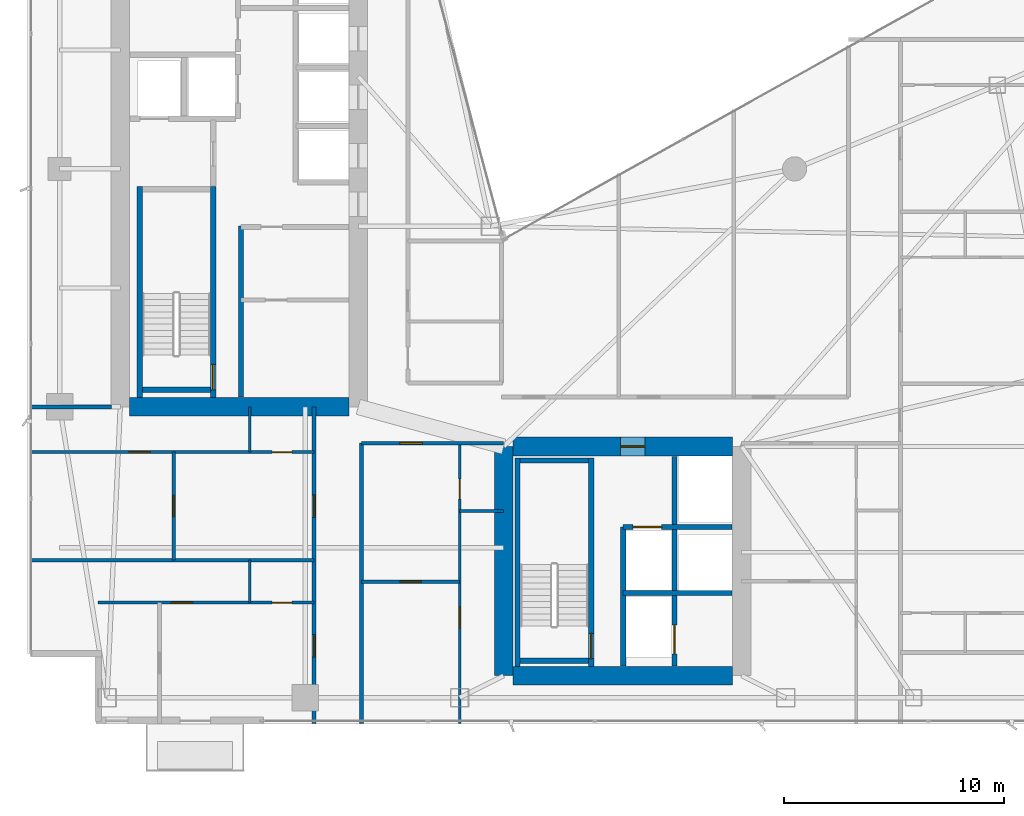
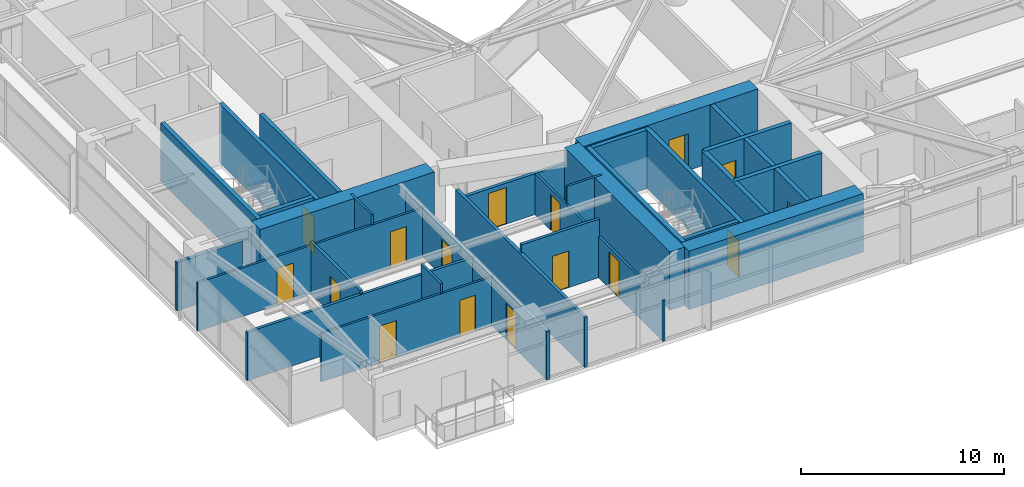
# One storey, part 22 of 28: 29 walls, 16 doors, 16 openings.
"""IFC4 building model written with IfcOpenShell, lengths in metres."""

import ifcopenshell
import ifcopenshell.guid

model = None  # the IFC model being written
_history = None  # IfcOwnerHistory: only IFC2X3 demands one
_inside = {}  # id of a spatial element -> (the spatial element, [elements in it])
_under = {}  # id of a project, library or spatial element -> (it, [spatial elements below it])
_declared = {}  # id of a project -> (the project, [libraries it declares])
_typed = {}  # id of a type object -> (the type object, [elements of that type])
_made_of = {}  # id of a material, layer set ... -> (it, [elements and type objects made of it])


def new_model(schema):
    """Start an empty IFC model of exactly this schema.

    Asked for "IFC4X3", IfcOpenShell would pick the latest addendum, in which some entities
    have other attributes; the version numbers below select the first issue.
    IFC2X3 requires an IfcOwnerHistory on every rooted entity: one is made here for all.
    """
    global model, _history
    if schema == "IFC4X3":
        model = ifcopenshell.file(schema_version=(4, 3, 0, 0))
    else:
        model = ifcopenshell.file(schema=schema)
    _inside.clear()
    _under.clear()
    _declared.clear()
    _typed.clear()
    _made_of.clear()
    _history = None
    if model.schema == "IFC2X3":
        org = make("IfcOrganization", Name="unknown")
        user = make(
            "IfcPersonAndOrganization",
            ThePerson=make("IfcPerson", FamilyName="unknown"),
            TheOrganization=org,
        )
        app = make(
            "IfcApplication",
            ApplicationDeveloper=org,
            Version="unknown",
            ApplicationFullName="unknown",
            ApplicationIdentifier="unknown",
        )
        _history = make(
            "IfcOwnerHistory",
            OwningUser=user,
            OwningApplication=app,
            ChangeAction="ADDED",
            CreationDate=0,
        )
    return model


def make(cls, **values):
    """One entity of the class cls with the attributes given. An attribute that is None is left unset."""
    return model.create_entity(
        cls, **{name: value for name, value in values.items() if value is not None}
    )


def rooted(cls, **values):
    """An entity with a GlobalId (a new one), such as an element, a storey or a relation."""
    return make(cls, GlobalId=ifcopenshell.guid.new(), OwnerHistory=_history, **values)


def si_unit(unit_type, name, prefix=None):
    """IfcSIUnit, for example si_unit("LENGTHUNIT", "METRE", prefix="MILLI")."""
    return make("IfcSIUnit", UnitType=unit_type, Prefix=prefix, Name=name)


def assignment(units):
    """IfcUnitAssignment: the units of a project."""
    return None if units is None else make("IfcUnitAssignment", Units=units)


def point(xyz):
    """IfcCartesianPoint."""
    return None if xyz is None else make("IfcCartesianPoint", Coordinates=xyz)


def direction(xyz):
    """IfcDirection."""
    return None if xyz is None else make("IfcDirection", DirectionRatios=xyz)


def frame(location, z_axis=None, x_axis=None):
    """IfcAxis2Placement3D, a coordinate frame: its origin and axes. An axis left out is left unset."""
    return make(
        "IfcAxis2Placement3D",
        Location=point(location),
        Axis=direction(z_axis),
        RefDirection=direction(x_axis),
    )


def frame_2d(location, x_axis=None):
    """IfcAxis2Placement2D, a coordinate frame in the plane: its origin and x axis."""
    return make(
        "IfcAxis2Placement2D", Location=point(location), RefDirection=direction(x_axis)
    )


def origin():
    """The frame at (0, 0, 0) with its axes left unset."""
    return frame((0.0, 0.0, 0.0))


def place(relative_to, where):
    """IfcLocalPlacement: puts the frame where relative to a parent placement (None: the world)."""
    return make(
        "IfcLocalPlacement", PlacementRelTo=relative_to, RelativePlacement=where
    )


def context(
    kind, dimensions, precision=None, world=None, true_north=None, identifier=None
):
    """IfcGeometricRepresentationContext, for example the 3D "Model" context."""
    return make(
        "IfcGeometricRepresentationContext",
        ContextIdentifier=identifier,
        ContextType=kind,
        CoordinateSpaceDimension=dimensions,
        Precision=precision,
        WorldCoordinateSystem=world,
        TrueNorth=true_north,
    )


def subcontext(parent, identifier, kind, view, scale=None):
    """IfcGeometricRepresentationSubContext, for example "Body" below "Model"."""
    return make(
        "IfcGeometricRepresentationSubContext",
        ContextIdentifier=identifier,
        ContextType=kind,
        ParentContext=parent,
        TargetScale=scale,
        TargetView=view,
    )


def project(units=None, contexts=None):
    """IfcProject with its units and contexts."""
    return rooted(
        "IfcProject",
        Name="project",
        RepresentationContexts=contexts,
        UnitsInContext=assignment(units),
    )


def spatial(cls, under=None, at=None, **own):
    """A site, building, storey or space (cls), placed at a placement, below another one or the project."""
    s = rooted(cls, ObjectPlacement=at, **own)
    if under is not None:
        _under.setdefault(under.id(), (under, []))[1].append(s)
    return s


def profile(cls, at=None, kind="AREA", **sizes):
    """A parametric profile (cls). Its sizes go by their IFC names, for example OverallWidth=200.0."""
    return make(cls, ProfileType=kind, Position=at, **sizes)


def rectangle(**sizes):
    """IfcRectangleProfileDef."""
    return profile("IfcRectangleProfileDef", **sizes)


def extrude(swept, where, along, depth):
    """IfcExtrudedAreaSolid: the profile swept, set in the frame where, extruded along a direction by depth."""
    return make(
        "IfcExtrudedAreaSolid",
        SweptArea=swept,
        Position=where,
        ExtrudedDirection=direction(along),
        Depth=depth,
    )


def shape(context_of_items, identifier, shape_type, items):
    """IfcShapeRepresentation: the items that make up one representation, for example the "Body"."""
    return make(
        "IfcShapeRepresentation",
        ContextOfItems=context_of_items,
        RepresentationIdentifier=identifier,
        RepresentationType=shape_type,
        Items=items,
    )


def material(Name=None, Category=None):
    """IfcMaterial."""
    return make("IfcMaterial", Name=Name, Category=Category)


def layer(
    of_material, thickness, ventilated=None, Name=None, Category=None, Priority=None
):
    """IfcMaterialLayer: one layer of a wall or slab, of a material (None: an air gap)."""
    return make(
        "IfcMaterialLayer",
        Material=of_material,
        LayerThickness=thickness,
        IsVentilated=ventilated,
        Name=Name,
        Category=Category,
        Priority=Priority,
    )


def layer_set(layers, Name=None):
    """IfcMaterialLayerSet."""
    return make("IfcMaterialLayerSet", MaterialLayers=layers, LayerSetName=Name)


def made_of(thing, what):
    """Note that an element or type object is made of a material, layer set ...; save() writes the relation."""
    if what is not None:
        _made_of.setdefault(what.id(), (what, []))[1].append(thing)
    return thing


def type_object(cls, material=None, **own):
    """A type object (cls), such as IfcWallType, which elements share."""
    return made_of(rooted(cls, **own), material)


def element(
    cls,
    number,
    at=None,
    inside=None,
    cuts=None,
    type_object=None,
    material=None,
    context=None,
    identifier="Body",
    shape_type=None,
    held_by="IfcProductDefinitionShape",
    body=None,
    shapes=None,
    **own,
):
    """One element of the class cls, such as IfcWall. Its Tag is "e" and its number.

    at: its placement. inside: the storey or other place that contains it. cuts: it is an
    opening in that element (IfcRelVoidsElement). A single representation is given by context,
    identifier, shape_type and body (its items); several are given by shapes. held_by: the class
    of the entity that holds the representations. save() writes the other relations.
    """
    e = rooted(cls, Tag="e%d" % number, ObjectPlacement=at, **own)
    if body is not None:
        shapes = [shape(context, identifier, shape_type, body)]
    if shapes is not None:
        e.Representation = make(held_by, Representations=shapes)
    if inside is not None:
        _inside.setdefault(inside.id(), (inside, []))[1].append(e)
    if cuts is not None:
        rooted(
            "IfcRelVoidsElement", RelatingBuildingElement=cuts, RelatedOpeningElement=e
        )
    if type_object is not None:
        _typed.setdefault(type_object.id(), (type_object, []))[1].append(e)
    return made_of(e, material)


def fill(opening, filler):
    """IfcRelFillsElement: the door or window that sits in an opening."""
    return rooted(
        "IfcRelFillsElement",
        RelatingOpeningElement=opening,
        RelatedBuildingElement=filler,
    )


def aggregate(whole, parts):
    """IfcRelAggregates: a whole, such as a stair, and the parts it consists of."""
    return rooted("IfcRelAggregates", RelatingObject=whole, RelatedObjects=parts)


def save(model, path):
    """Write the relations noted so far, then the file.

    IfcRelAggregates (storeys below a building ...), IfcRelContainedInSpatialStructure (elements
    in a storey), IfcRelDefinesByType, IfcRelAssociatesMaterial and IfcRelDeclares: one each for
    every whole, place, type object, material and project.
    """
    for whole, parts in _under.values():
        aggregate(whole, parts)
    for where, things in _inside.values():
        rooted(
            "IfcRelContainedInSpatialStructure",
            RelatedElements=things,
            RelatingStructure=where,
        )
    for kind, things in _typed.values():
        rooted("IfcRelDefinesByType", RelatedObjects=things, RelatingType=kind)
    for what, things in _made_of.values():
        rooted("IfcRelAssociatesMaterial", RelatedObjects=things, RelatingMaterial=what)
    for by, libraries in _declared.values():
        rooted("IfcRelDeclares", RelatingContext=by, RelatedDefinitions=libraries)
    model.write(path)


model = new_model("IFC4")

# Units and contexts
model_context = context("Model", 3, precision=1e-05, world=origin(), true_north=direction((0.0, 1.0)))
body_context = subcontext(model_context, "Body", "Model", "MODEL_VIEW")
ifc_project = project(units=[si_unit("LENGTHUNIT", "METRE"), si_unit("AREAUNIT", "SQUARE_METRE"), si_unit("VOLUMEUNIT", "CUBIC_METRE"), si_unit("PLANEANGLEUNIT", "RADIAN"), si_unit("MASSUNIT", "GRAM", prefix="KILO")], contexts=[model_context])

# Site, building, storey
site_placement = place(None, origin())
site = spatial("IfcSite", under=ifc_project, at=site_placement, CompositionType="ELEMENT")
building_placement = place(site_placement, origin())
building = spatial("IfcBuilding", under=site, at=building_placement, Name="Calvorn Quay Hotel", CompositionType="ELEMENT")
storey_placement = place(building_placement, frame((0.0, 0.0, 182.699951171875)))
storey = spatial("IfcBuildingStorey", under=building, at=storey_placement, Name="L45", CompositionType="ELEMENT", Elevation=182.699951171875)

# Walls
ifc_material_1 = material(Name="Concrete C50", Category="concrete")
ifc_layer_1 = layer(ifc_material_1, 0.85009765625)
ifc_layer_set_1 = layer_set([ifc_layer_1], Name="WL-CORE-850")
wall_type_1 = type_object("IfcWallType", Name="WL-CORE-850", PredefinedType="SHEAR", material=ifc_layer_set_1)
wall_1_placement = place(storey_placement, frame((4.625, 16.800048828125, 0.0), z_axis=(0.0, 0.0, 1.0), x_axis=(1.0, 0.0, 0.0)))
element("IfcWall", 1, at=wall_1_placement, inside=storey, type_object=wall_type_1, Name="West Core Shear Wall S (L45)", PredefinedType="SHEAR", context=body_context, shape_type="SweptSolid", body=[
    extrude(rectangle(XDim=9.949951171875, YDim=0.85009765625, at=frame_2d((4.97509765625, 0.0))), origin(), (0.0, 0.0, 1.0), 3.52001953125),
])
wall_2_placement = place(storey_placement, frame((21.60009765625, 4.60009765625, 0.0), z_axis=(0.0, 0.0, 1.0), x_axis=(0.0, 1.0, 0.0)))
element("IfcWall", 2, at=wall_2_placement, inside=storey, type_object=wall_type_1, Name="East Core Shear Wall W (L45)", PredefinedType="SHEAR", context=body_context, shape_type="SweptSolid", body=[
    extrude(rectangle(XDim=10.39990234375, YDim=0.85009765625, at=frame_2d((5.199951171875, 0.0))), origin(), (0.0, 0.0, 1.0), 3.52001953125),
])

# Wall, opening, door
wall_3_placement = place(storey_placement, frame((22.02490234375, 15.0, 0.0), z_axis=(0.0, 0.0, 1.0), x_axis=(1.0, 0.0, 0.0)))
wall_3 = element("IfcWall", 3, at=wall_3_placement, inside=storey, type_object=wall_type_1, Name="East Core Shear Wall N (L45)", PredefinedType="SHEAR", context=body_context, shape_type="SweptSolid", body=[
    extrude(rectangle(XDim=9.9501953125, YDim=0.85009765625, at=frame_2d((4.97509765625, 0.0))), origin(), (0.0, 0.0, 1.0), 3.52001953125),
])
opening_1_placement = place(wall_3_placement, frame((4.8798828125, 0.0, 0.0)))
opening_1 = element("IfcOpeningElement", 4, at=opening_1_placement, cuts=wall_3, Name="Opening D-L45-FLE", PredefinedType="OPENING", context=body_context, shape_type="SweptSolid", body=[
    extrude(rectangle(XDim=1.10009765625, YDim=2.199951171875, at=frame_2d((0.550048828125, 1.10009765625))), frame((0.0, 0.43505859375, 0.0), z_axis=(0.0, -1.0, 0.0), x_axis=(1.0, 0.0, 0.0)), (0.0, 0.0, 1.0), 0.8701171875),
])
ifc_material_2 = material(Name="Smoke-Sealed Steel Class A Fire Door", Category="steel")
door_type_1 = type_object("IfcDoorType", Name="DR-FFLOBBY-1100", OperationType="NOTDEFINED", PredefinedType="DOOR", material=ifc_material_2)
door_1_placement = place(opening_1_placement, origin())
door_1 = element("IfcDoor", 5, at=door_1_placement, inside=storey, type_object=door_type_1, Name="East Firefighting Lobby Fire Door (L45)", OperationType="SINGLE_SWING_LEFT", OverallHeight=2.199951171875, OverallWidth=1.10009765625, PredefinedType="DOOR", context=body_context, shape_type="SweptSolid", body=[
    extrude(rectangle(XDim=1.10009765625, YDim=2.199951171875, at=frame_2d((0.550048828125, 1.10009765625))), frame((0.0, 0.02490234375, 0.0), z_axis=(0.0, -1.0, 0.0), x_axis=(1.0, 0.0, 0.0)), (0.0, 0.0, 1.0), 0.050048828125),
])
fill(opening_1, door_1)

# Walls
wall_4_placement = place(storey_placement, frame((22.02490234375, 4.60009765625, 0.0), z_axis=(0.0, 0.0, 1.0), x_axis=(1.0, 0.0, 0.0)))
element("IfcWall", 6, at=wall_4_placement, inside=storey, type_object=wall_type_1, Name="East Core Shear Wall S (L45)", PredefinedType="SHEAR", context=body_context, shape_type="SweptSolid", body=[
    extrude(rectangle(XDim=9.9501953125, YDim=0.85009765625, at=frame_2d((4.97509765625, 0.0))), origin(), (0.0, 0.0, 1.0), 3.52001953125),
])
ifc_material_3 = material(Name="Acoustic Fireboard Steel-Stud Partition", Category="steel")
ifc_layer_2 = layer(ifc_material_3, 0.179931640625)
ifc_layer_set_2 = layer_set([ifc_layer_2], Name="WL-CORR-FIRE-180")
wall_type_2 = type_object("IfcWallType", Name="WL-CORR-FIRE-180", PredefinedType="PARTITIONING", material=ifc_layer_set_2)
wall_5_placement = place(storey_placement, frame((0.080078125, 16.800048828125, 0.0), z_axis=(0.0, 0.0, 1.0), x_axis=(1.0, 0.0, 0.0)))
element("IfcWall", 7, at=wall_5_placement, inside=storey, type_object=wall_type_2, Name="Partition Wall L45-WL-WBAY-S-WALL", PredefinedType="PARTITIONING", context=body_context, shape_type="SweptSolid", body=[
    extrude(rectangle(XDim=3.724853515625, YDim=0.179931640625, at=frame_2d((1.8623046875, 0.0))), origin(), (0.0, 0.0, 1.0), 2.920166015625),
])

# Wall, openings, doors
wall_6_placement = place(storey_placement, frame((13.0, 2.43994140625, 0.0), z_axis=(0.0, 0.0, 1.0), x_axis=(0.0, 1.0, 0.0)))
wall_6 = element("IfcWall", 8, at=wall_6_placement, inside=storey, type_object=wall_type_2, Name="Partition Wall L45-WL-CORR-SW-LEG-W", PredefinedType="PARTITIONING", context=body_context, shape_type="SweptSolid", body=[
    extrude(rectangle(XDim=14.360107421875, YDim=0.179931640625, at=frame_2d((7.18017578125, 0.0))), origin(), (0.0, 0.0, 1.0), 2.920166015625),
])
opening_2_placement = place(wall_6_placement, frame((3.010009765625, 0.0, 0.0)))
opening_2 = element("IfcOpeningElement", 9, at=opening_2_placement, cuts=wall_6, Name="Opening D-L45-U01", PredefinedType="OPENING", context=body_context, shape_type="SweptSolid", body=[
    extrude(rectangle(XDim=1.02001953125, YDim=2.199951171875, at=frame_2d((0.510009765625, 1.10009765625))), frame((0.0, 0.099853515625, 0.0), z_axis=(0.0, -1.0, 0.0), x_axis=(1.0, 0.0, 0.0)), (0.0, 0.0, 1.0), 0.199951171875),
])
opening_3_placement = place(wall_6_placement, frame((9.35009765625, 0.0, 0.0)))
opening_3 = element("IfcOpeningElement", 10, at=opening_3_placement, cuts=wall_6, Name="Opening D-L45-U02", PredefinedType="OPENING", context=body_context, shape_type="SweptSolid", body=[
    extrude(rectangle(XDim=1.02001953125, YDim=2.199951171875, at=frame_2d((0.510009765625, 1.10009765625))), frame((0.0, 0.099853515625, 0.0), z_axis=(0.0, -1.0, 0.0), x_axis=(1.0, 0.0, 0.0)), (0.0, 0.0, 1.0), 0.199951171875),
])
ifc_material_4 = material(Name="Solid-Core Walnut Veneer Hotel Fire Door")
door_type_2 = type_object("IfcDoorType", Name="DR-GUEST-ENTRY-1020", OperationType="NOTDEFINED", PredefinedType="DOOR", material=ifc_material_4)
door_2_placement = place(opening_2_placement, origin())
door_2 = element("IfcDoor", 11, at=door_2_placement, inside=storey, type_object=door_type_2, Name="South-West Unit Door U01 (L45)", OperationType="SINGLE_SWING_LEFT", OverallHeight=2.199951171875, OverallWidth=1.02001953125, PredefinedType="DOOR", context=body_context, shape_type="SweptSolid", body=[
    extrude(rectangle(XDim=1.02001953125, YDim=2.199951171875, at=frame_2d((0.510009765625, 1.10009765625))), frame((0.0, 0.02490234375, 0.0), z_axis=(0.0, -1.0, 0.0), x_axis=(1.0, 0.0, 0.0)), (0.0, 0.0, 1.0), 0.050048828125),
])
fill(opening_2, door_2)
door_3_placement = place(opening_3_placement, origin())
door_3 = element("IfcDoor", 12, at=door_3_placement, inside=storey, type_object=door_type_2, Name="South-West Unit Door U02 (L45)", OperationType="SINGLE_SWING_RIGHT", OverallHeight=2.199951171875, OverallWidth=1.02001953125, PredefinedType="DOOR", context=body_context, shape_type="SweptSolid", body=[
    extrude(rectangle(XDim=1.02001953125, YDim=2.199951171875, at=frame_2d((0.510009765625, 1.10009765625))), frame((0.0, 0.02490234375, 0.0), z_axis=(0.0, -1.0, 0.0), x_axis=(1.0, 0.0, 0.0)), (0.0, 0.0, 1.0), 0.050048828125),
])
fill(opening_3, door_3)

# Wall
wall_7_placement = place(storey_placement, frame((15.14990234375, 2.43994140625, 0.0), z_axis=(0.0, 0.0, 1.0), x_axis=(0.0, 1.0, 0.0)))
element("IfcWall", 13, at=wall_7_placement, inside=storey, type_object=wall_type_2, Name="Partition Wall L45-WL-CORR-SW-W", PredefinedType="PARTITIONING", context=body_context, shape_type="SweptSolid", body=[
    extrude(rectangle(XDim=12.7099609375, YDim=0.179931640625, at=frame_2d((6.35498046875, 0.0))), origin(), (0.0, 0.0, 1.0), 3.02001953125),
])

# Wall, opening, door
wall_8_placement = place(storey_placement, frame((15.14990234375, 15.14990234375, 0.0), z_axis=(0.0, 0.0, 1.0), x_axis=(1.0, 0.0, 0.0)))
wall_8 = element("IfcWall", 14, at=wall_8_placement, inside=storey, type_object=wall_type_2, Name="Partition Wall L45-WL-SC-CORR-S", PredefinedType="PARTITIONING", context=body_context, shape_type="SweptSolid", body=[
    extrude(rectangle(XDim=6.4501953125, YDim=0.179931640625, at=frame_2d((3.22509765625, 0.0))), origin(), (0.0, 0.0, 1.0), 2.469970703125),
])
opening_4_placement = place(wall_8_placement, frame((1.739990234375, 0.0, 0.0)))
opening_4 = element("IfcOpeningElement", 15, at=opening_4_placement, cuts=wall_8, Name="Opening D-L45-U03", PredefinedType="OPENING", context=body_context, shape_type="SweptSolid", body=[
    extrude(rectangle(XDim=1.02001953125, YDim=2.199951171875, at=frame_2d((0.510009765625, 1.10009765625))), frame((0.0, 0.099853515625, 0.0), z_axis=(0.0, -1.0, 0.0), x_axis=(1.0, 0.0, 0.0)), (0.0, 0.0, 1.0), 0.199951171875),
])
door_4_placement = place(opening_4_placement, origin())
door_4 = element("IfcDoor", 16, at=door_4_placement, inside=storey, type_object=door_type_2, Name="Harbour Central Unit Door (L45)", OperationType="SINGLE_SWING_LEFT", OverallHeight=2.199951171875, OverallWidth=1.02001953125, PredefinedType="DOOR", context=body_context, shape_type="SweptSolid", body=[
    extrude(rectangle(XDim=1.02001953125, YDim=2.199951171875, at=frame_2d((0.510009765625, 1.10009765625))), frame((0.0, 0.02490234375, 0.0), z_axis=(0.0, -1.0, 0.0), x_axis=(1.0, 0.0, 0.0)), (0.0, 0.0, 1.0), 0.050048828125),
])
fill(opening_4, door_4)

# Wall
ifc_material_5 = material(Name="Moisture-Resistant Tile-Backed Partition")
ifc_layer_3 = layer(ifc_material_5, 0.125)
ifc_layer_set_3 = layer_set([ifc_layer_3], Name="WL-ENSUITE-125")
wall_type_3 = type_object("IfcWallType", Name="WL-ENSUITE-125", PredefinedType="PARTITIONING", material=ifc_layer_set_3)
wall_9_placement = place(storey_placement, frame((10.080078125, 7.919921875, 0.0), z_axis=(0.0, 0.0, 1.0), x_axis=(0.0, 1.0, 0.0)))
element("IfcWall", 17, at=wall_9_placement, inside=storey, type_object=wall_type_3, Name="Partition Wall L45-WL-U01-BDV", PredefinedType="PARTITIONING", context=body_context, shape_type="SweptSolid", body=[
    extrude(rectangle(XDim=1.93017578125, YDim=0.125, at=frame_2d((0.965087890625, 0.0))), origin(), (0.0, 0.0, 1.0), 3.52001953125),
])

# Wall, openings, doors
wall_10_placement = place(storey_placement, frame((3.199951171875, 7.919921875, 0.0), z_axis=(0.0, 0.0, 1.0), x_axis=(1.0, 0.0, 0.0)))
wall_10 = element("IfcWall", 18, at=wall_10_placement, inside=storey, type_object=wall_type_3, Name="Partition Wall L45-WL-U01-BH", PredefinedType="PARTITIONING", context=body_context, shape_type="SweptSolid", body=[
    extrude(rectangle(XDim=9.800048828125, YDim=0.125, at=frame_2d((4.89990234375, 0.0))), origin(), (0.0, 0.0, 1.0), 2.920166015625),
])
opening_5_placement = place(wall_10_placement, frame((3.320068359375, 0.0, 0.0)))
opening_5 = element("IfcOpeningElement", 19, at=opening_5_placement, cuts=wall_10, Name="Opening D-L45-S01", PredefinedType="OPENING", context=body_context, shape_type="SweptSolid", body=[
    extrude(rectangle(XDim=0.9599609375, YDim=2.199951171875, at=frame_2d((0.47998046875, 1.10009765625))), frame((0.0, 0.072509765625, 0.0), z_axis=(0.0, -1.0, 0.0), x_axis=(1.0, 0.0, 0.0)), (0.0, 0.0, 1.0), 0.14501953125),
])
opening_6_placement = place(wall_10_placement, frame((7.889892578125, 0.0, 0.0)))
opening_6 = element("IfcOpeningElement", 20, at=opening_6_placement, cuts=wall_10, Name="Opening D-L45-E01", PredefinedType="OPENING", context=body_context, shape_type="SweptSolid", body=[
    extrude(rectangle(XDim=0.89990234375, YDim=2.14990234375, at=frame_2d((0.449951171875, 1.074951171875))), frame((0.0, 0.072509765625, 0.0), z_axis=(0.0, -1.0, 0.0), x_axis=(1.0, 0.0, 0.0)), (0.0, 0.0, 1.0), 0.14501953125),
])
ifc_material_6 = material(Name="Moisture-Sealed Timber En-Suite Door", Category="wood")
door_type_3 = type_object("IfcDoorType", Name="DR-ENSUITE-900", OperationType="NOTDEFINED", PredefinedType="DOOR", material=ifc_material_6)
door_5_placement = place(opening_6_placement, origin())
door_5 = element("IfcDoor", 21, at=door_5_placement, inside=storey, type_object=door_type_3, Name="En-Suite Door 01", OperationType="SINGLE_SWING_RIGHT", OverallHeight=2.14990234375, OverallWidth=0.89990234375, PredefinedType="DOOR", context=body_context, shape_type="SweptSolid", body=[
    extrude(rectangle(XDim=0.89990234375, YDim=2.14990234375, at=frame_2d((0.449951171875, 1.074951171875))), frame((0.0, 0.02490234375, 0.0), z_axis=(0.0, -1.0, 0.0), x_axis=(1.0, 0.0, 0.0)), (0.0, 0.0, 1.0), 0.050048828125),
])
fill(opening_6, door_5)
ifc_material_7 = material(Name="Solid Timber Internal Suite Door", Category="wood")
door_type_4 = type_object("IfcDoorType", Name="DR-SUITE-INT-960", OperationType="NOTDEFINED", PredefinedType="DOOR", material=ifc_material_7)
door_6_placement = place(opening_5_placement, origin())
door_6 = element("IfcDoor", 22, at=door_6_placement, inside=storey, type_object=door_type_4, Name="Children Play Nursery Door 01", OperationType="SINGLE_SWING_LEFT", OverallHeight=2.199951171875, OverallWidth=0.9599609375, PredefinedType="DOOR", context=body_context, shape_type="SweptSolid", body=[
    extrude(rectangle(XDim=0.9599609375, YDim=2.199951171875, at=frame_2d((0.47998046875, 1.10009765625))), frame((0.0, 0.02490234375, 0.0), z_axis=(0.0, -1.0, 0.0), x_axis=(1.0, 0.0, 0.0)), (0.0, 0.0, 1.0), 0.050048828125),
])
fill(opening_5, door_6)

# Wall
wall_11_placement = place(storey_placement, frame((10.080078125, 14.75, 0.0), z_axis=(0.0, 0.0, 1.0), x_axis=(0.0, 1.0, 0.0)))
element("IfcWall", 23, at=wall_11_placement, inside=storey, type_object=wall_type_3, Name="Partition Wall L45-WL-U02-BDV", PredefinedType="PARTITIONING", context=body_context, shape_type="SweptSolid", body=[
    extrude(rectangle(XDim=2.050048828125, YDim=0.125, at=frame_2d((1.02490234375, 0.0))), origin(), (0.0, 0.0, 1.0), 3.52001953125),
])

# Wall, openings, doors
wall_12_placement = place(storey_placement, frame((0.080078125, 14.75, 0.0), z_axis=(0.0, 0.0, 1.0), x_axis=(1.0, 0.0, 0.0)))
wall_12 = element("IfcWall", 24, at=wall_12_placement, inside=storey, type_object=wall_type_3, Name="Partition Wall L45-WL-U02-BH", PredefinedType="PARTITIONING", context=body_context, shape_type="SweptSolid", body=[
    extrude(rectangle(XDim=12.919921875, YDim=0.125, at=frame_2d((6.4599609375, 0.0))), origin(), (0.0, 0.0, 1.0), 2.920166015625),
])
opening_7_placement = place(wall_12_placement, frame((4.52001953125, 0.0, 0.0)))
opening_7 = element("IfcOpeningElement", 25, at=opening_7_placement, cuts=wall_12, Name="Opening D-L45-S02", PredefinedType="OPENING", context=body_context, shape_type="SweptSolid", body=[
    extrude(rectangle(XDim=0.9599609375, YDim=2.199951171875, at=frame_2d((0.47998046875, 1.10009765625))), frame((0.0, 0.072509765625, 0.0), z_axis=(0.0, -1.0, 0.0), x_axis=(1.0, 0.0, 0.0)), (0.0, 0.0, 1.0), 0.14501953125),
])
opening_8_placement = place(wall_12_placement, frame((11.010009765625, 0.0, 0.0)))
opening_8 = element("IfcOpeningElement", 26, at=opening_8_placement, cuts=wall_12, Name="Opening D-L45-E02", PredefinedType="OPENING", context=body_context, shape_type="SweptSolid", body=[
    extrude(rectangle(XDim=0.89990234375, YDim=2.14990234375, at=frame_2d((0.449951171875, 1.074951171875))), frame((0.0, 0.072509765625, 0.0), z_axis=(0.0, -1.0, 0.0), x_axis=(1.0, 0.0, 0.0)), (0.0, 0.0, 1.0), 0.14501953125),
])
door_7_placement = place(opening_8_placement, origin())
door_7 = element("IfcDoor", 27, at=door_7_placement, inside=storey, type_object=door_type_3, Name="En-Suite Door 02", OperationType="SINGLE_SWING_RIGHT", OverallHeight=2.14990234375, OverallWidth=0.89990234375, PredefinedType="DOOR", context=body_context, shape_type="SweptSolid", body=[
    extrude(rectangle(XDim=0.89990234375, YDim=2.14990234375, at=frame_2d((0.449951171875, 1.074951171875))), frame((0.0, 0.02490234375, 0.0), z_axis=(0.0, -1.0, 0.0), x_axis=(1.0, 0.0, 0.0)), (0.0, 0.0, 1.0), 0.050048828125),
])
fill(opening_8, door_7)
door_8_placement = place(opening_7_placement, origin())
door_8 = element("IfcDoor", 28, at=door_8_placement, inside=storey, type_object=door_type_4, Name="Children Play Nursery Door 02", OperationType="SINGLE_SWING_LEFT", OverallHeight=2.199951171875, OverallWidth=0.9599609375, PredefinedType="DOOR", context=body_context, shape_type="SweptSolid", body=[
    extrude(rectangle(XDim=0.9599609375, YDim=2.199951171875, at=frame_2d((0.47998046875, 1.10009765625))), frame((0.0, 0.02490234375, 0.0), z_axis=(0.0, -1.0, 0.0), x_axis=(1.0, 0.0, 0.0)), (0.0, 0.0, 1.0), 0.050048828125),
])
fill(opening_7, door_8)

# Wall
wall_13_placement = place(storey_placement, frame((19.60009765625, 12.070068359375, 0.0), z_axis=(0.0, 0.0, 1.0), x_axis=(1.0, 0.0, 0.0)))
element("IfcWall", 29, at=wall_13_placement, inside=storey, type_object=wall_type_3, Name="Partition Wall L45-WL-U03-BDV", PredefinedType="PARTITIONING", context=body_context, shape_type="SweptSolid", body=[
    extrude(rectangle(XDim=2.0, YDim=0.125, at=frame_2d((1.0, 0.0))), origin(), (0.0, 0.0, 1.0), 3.52001953125),
])

# Wall, openings, doors
wall_14_placement = place(storey_placement, frame((19.60009765625, 2.43994140625, 0.0), z_axis=(0.0, 0.0, 1.0), x_axis=(0.0, 1.0, 0.0)))
wall_14 = element("IfcWall", 30, at=wall_14_placement, inside=storey, type_object=wall_type_3, Name="Partition Wall L45-WL-U03-BV", PredefinedType="PARTITIONING", context=body_context, shape_type="SweptSolid", body=[
    extrude(rectangle(XDim=12.7099609375, YDim=0.125, at=frame_2d((6.35498046875, 0.0))), origin(), (0.0, 0.0, 1.0), 2.469970703125),
])
opening_9_placement = place(wall_14_placement, frame((4.340087890625, 0.0, 0.0)))
opening_9 = element("IfcOpeningElement", 31, at=opening_9_placement, cuts=wall_14, Name="Opening D-L45-S03", PredefinedType="OPENING", context=body_context, shape_type="SweptSolid", body=[
    extrude(rectangle(XDim=0.9599609375, YDim=2.199951171875, at=frame_2d((0.47998046875, 1.10009765625))), frame((0.0, 0.072509765625, 0.0), z_axis=(0.0, -1.0, 0.0), x_axis=(1.0, 0.0, 0.0)), (0.0, 0.0, 1.0), 0.14501953125),
])
opening_10_placement = place(wall_14_placement, frame((10.179931640625, 0.0, 0.0)))
opening_10 = element("IfcOpeningElement", 32, at=opening_10_placement, cuts=wall_14, Name="Opening D-L45-E03", PredefinedType="OPENING", context=body_context, shape_type="SweptSolid", body=[
    extrude(rectangle(XDim=0.89990234375, YDim=2.14990234375, at=frame_2d((0.449951171875, 1.074951171875))), frame((0.0, 0.072509765625, 0.0), z_axis=(0.0, -1.0, 0.0), x_axis=(1.0, 0.0, 0.0)), (0.0, 0.0, 1.0), 0.14501953125),
])
door_9_placement = place(opening_10_placement, origin())
door_9 = element("IfcDoor", 33, at=door_9_placement, inside=storey, type_object=door_type_3, Name="En-Suite Door 03", OperationType="SINGLE_SWING_RIGHT", OverallHeight=2.14990234375, OverallWidth=0.89990234375, PredefinedType="DOOR", context=body_context, shape_type="SweptSolid", body=[
    extrude(rectangle(XDim=0.89990234375, YDim=2.14990234375, at=frame_2d((0.449951171875, 1.074951171875))), frame((0.0, 0.02490234375, 0.0), z_axis=(0.0, -1.0, 0.0), x_axis=(1.0, 0.0, 0.0)), (0.0, 0.0, 1.0), 0.050048828125),
])
fill(opening_10, door_9)
door_10_placement = place(opening_9_placement, origin())
door_10 = element("IfcDoor", 34, at=door_10_placement, inside=storey, type_object=door_type_4, Name="Children Play Nursery Door 03", OperationType="SINGLE_SWING_LEFT", OverallHeight=2.199951171875, OverallWidth=0.9599609375, PredefinedType="DOOR", context=body_context, shape_type="SweptSolid", body=[
    extrude(rectangle(XDim=0.9599609375, YDim=2.199951171875, at=frame_2d((0.47998046875, 1.10009765625))), frame((0.0, 0.02490234375, 0.0), z_axis=(0.0, -1.0, 0.0), x_axis=(1.0, 0.0, 0.0)), (0.0, 0.0, 1.0), 0.050048828125),
])
fill(opening_9, door_10)

# Wall, opening, door
ifc_material_8 = material(Name="Double-Stud Acoustic Gypsum Partition")
ifc_layer_4 = layer(ifc_material_8, 0.159912109375)
ifc_layer_set_4 = layer_set([ifc_layer_4], Name="WL-INTERSUITE-160")
wall_type_4 = type_object("IfcWallType", Name="WL-INTERSUITE-160", PredefinedType="PARTITIONING", material=ifc_layer_set_4)
wall_15_placement = place(storey_placement, frame((6.6201171875, 9.85009765625, 0.0), z_axis=(0.0, 0.0, 1.0), x_axis=(0.0, 1.0, 0.0)))
wall_15 = element("IfcWall", 35, at=wall_15_placement, inside=storey, type_object=wall_type_4, Name="Partition Wall L45-WL-U02-MSP", PredefinedType="PARTITIONING", context=body_context, shape_type="SweptSolid", body=[
    extrude(rectangle(XDim=4.89990234375, YDim=0.159912109375, at=frame_2d((2.449951171875, 0.0))), origin(), (0.0, 0.0, 1.0), 3.1201171875),
])
opening_11_placement = place(wall_15_placement, frame((1.969970703125, 0.0, 0.0)))
opening_11 = element("IfcOpeningElement", 36, at=opening_11_placement, cuts=wall_15, Name="Opening D-L45-M02", PredefinedType="OPENING", context=body_context, shape_type="SweptSolid", body=[
    extrude(rectangle(XDim=0.9599609375, YDim=2.199951171875, at=frame_2d((0.47998046875, 1.10009765625))), frame((0.0, 0.08984375, 0.0), z_axis=(0.0, -1.0, 0.0), x_axis=(1.0, 0.0, 0.0)), (0.0, 0.0, 1.0), 0.179931640625),
])
door_11_placement = place(opening_11_placement, origin())
door_11 = element("IfcDoor", 37, at=door_11_placement, inside=storey, type_object=door_type_4, Name="Suite Bedroom Door 02", OperationType="SINGLE_SWING_LEFT", OverallHeight=2.199951171875, OverallWidth=0.9599609375, PredefinedType="DOOR", context=body_context, shape_type="SweptSolid", body=[
    extrude(rectangle(XDim=0.9599609375, YDim=2.199951171875, at=frame_2d((0.47998046875, 1.10009765625))), frame((0.0, 0.02490234375, 0.0), z_axis=(0.0, -1.0, 0.0), x_axis=(1.0, 0.0, 0.0)), (0.0, 0.0, 1.0), 0.050048828125),
])
fill(opening_11, door_11)

# Wall
wall_16_placement = place(storey_placement, frame((0.080078125, 9.85009765625, 0.0), z_axis=(0.0, 0.0, 1.0), x_axis=(1.0, 0.0, 0.0)))
element("IfcWall", 38, at=wall_16_placement, inside=storey, type_object=wall_type_4, Name="Partition Wall L45-WL-SW-DIV-1", PredefinedType="PARTITIONING", context=body_context, shape_type="SweptSolid", body=[
    extrude(rectangle(XDim=12.919921875, YDim=0.159912109375, at=frame_2d((6.4599609375, 0.0))), origin(), (0.0, 0.0, 1.0), 2.920166015625),
])

# Wall, opening, door
wall_17_placement = place(storey_placement, frame((15.14990234375, 8.8701171875, 0.0), z_axis=(0.0, 0.0, 1.0), x_axis=(1.0, 0.0, 0.0)))
wall_17 = element("IfcWall", 39, at=wall_17_placement, inside=storey, type_object=wall_type_4, Name="Partition Wall L45-WL-U03-MSP", PredefinedType="PARTITIONING", context=body_context, shape_type="SweptSolid", body=[
    extrude(rectangle(XDim=4.4501953125, YDim=0.159912109375, at=frame_2d((2.22509765625, 0.0))), origin(), (0.0, 0.0, 1.0), 3.52001953125),
])
opening_12_placement = place(wall_17_placement, frame((1.75, 0.0, 0.0)))
opening_12 = element("IfcOpeningElement", 40, at=opening_12_placement, cuts=wall_17, Name="Opening D-L45-M03", PredefinedType="OPENING", context=body_context, shape_type="SweptSolid", body=[
    extrude(rectangle(XDim=0.9599609375, YDim=2.199951171875, at=frame_2d((0.47998046875, 1.10009765625))), frame((0.0, 0.08984375, 0.0), z_axis=(0.0, -1.0, 0.0), x_axis=(1.0, 0.0, 0.0)), (0.0, 0.0, 1.0), 0.179931640625),
])
door_12_placement = place(opening_12_placement, origin())
door_12 = element("IfcDoor", 41, at=door_12_placement, inside=storey, type_object=door_type_4, Name="Suite Bedroom Door 03", OperationType="SINGLE_SWING_LEFT", OverallHeight=2.199951171875, OverallWidth=0.9599609375, PredefinedType="DOOR", context=body_context, shape_type="SweptSolid", body=[
    extrude(rectangle(XDim=0.9599609375, YDim=2.199951171875, at=frame_2d((0.47998046875, 1.10009765625))), frame((0.0, 0.02490234375, 0.0), z_axis=(0.0, -1.0, 0.0), x_axis=(1.0, 0.0, 0.0)), (0.0, 0.0, 1.0), 0.050048828125),
])
fill(opening_12, door_12)

# Walls
ifc_material_9 = material(Name="Autoclaved Aerated Masonry Block", Category="masonry")
ifc_layer_5 = layer(ifc_material_9, 0.219970703125)
ifc_layer_set_5 = layer_set([ifc_layer_5], Name="WL-LOBBY-FIRE-220")
wall_type_5 = type_object("IfcWallType", Name="WL-LOBBY-FIRE-220", PredefinedType="SOLIDWALL", material=ifc_layer_set_5)
wall_18_placement = place(storey_placement, frame((9.679931640625, 17.2451171875, 0.0), z_axis=(0.0, 0.0, 1.0), x_axis=(0.0, 1.0, 0.0)))
element("IfcWall", 42, at=wall_18_placement, inside=storey, type_object=wall_type_5, Name="Partition Wall L45-WL-CWW-STW-HALL-E", PredefinedType="SOLIDWALL", context=body_context, shape_type="SweptSolid", body=[
    extrude(rectangle(XDim=7.7548828125, YDim=0.219970703125, at=frame_2d((3.87744140625, 0.0))), origin(), (0.0, 0.0, 1.0), 3.52001953125),
])
ifc_material_10 = material(Name="Concrete C40", Category="concrete")
ifc_layer_6 = layer(ifc_material_10, 0.239990234375)
ifc_layer_set_6 = layer_set([ifc_layer_6], Name="WL-SHAFT-240")
wall_type_6 = type_object("IfcWallType", Name="WL-SHAFT-240", PredefinedType="SOLIDWALL", material=ifc_layer_set_6)
wall_19_placement = place(storey_placement, frame((5.080078125, 17.22509765625, 0.0), z_axis=(0.0, 0.0, 1.0), x_axis=(0.0, 1.0, 0.0)))
element("IfcWall", 43, at=wall_19_placement, inside=storey, type_object=wall_type_6, Name="Stair STW Shaft Wall W (L45)", PredefinedType="SOLIDWALL", context=body_context, shape_type="SweptSolid", body=[
    extrude(rectangle(XDim=9.56494140625, YDim=0.239990234375, at=frame_2d((4.782470703125, 0.0))), origin(), (0.0, 0.0, 1.0), 3.52001953125),
])

# Wall, opening, door
wall_20_placement = place(storey_placement, frame((8.419921875, 17.22509765625, 0.0), z_axis=(0.0, 0.0, 1.0), x_axis=(0.0, 1.0, 0.0)))
wall_20 = element("IfcWall", 44, at=wall_20_placement, inside=storey, type_object=wall_type_6, Name="Stair STW Shaft Wall E (L45)", PredefinedType="SOLIDWALL", context=body_context, shape_type="SweptSolid", body=[
    extrude(rectangle(XDim=9.56494140625, YDim=0.239990234375, at=frame_2d((4.782470703125, 0.0))), origin(), (0.0, 0.0, 1.0), 3.52001953125),
])
opening_13_placement = place(wall_20_placement, frame((0.35009765625, 0.0, 0.0)))
opening_13 = element("IfcOpeningElement", 45, at=opening_13_placement, cuts=wall_20, Name="Opening D-L45-STW", PredefinedType="OPENING", context=body_context, shape_type="SweptSolid", body=[
    extrude(rectangle(XDim=1.14990234375, YDim=2.199951171875, at=frame_2d((0.574951171875, 1.10009765625))), frame((0.0, 0.1298828125, 0.0), z_axis=(0.0, -1.0, 0.0), x_axis=(1.0, 0.0, 0.0)), (0.0, 0.0, 1.0), 0.260009765625),
])
ifc_material_11 = material(Name="Galvanised Steel Class A Fire Door", Category="steel")
door_type_5 = type_object("IfcDoorType", Name="DR-STAIR-SMOKE-1150", OperationType="NOTDEFINED", PredefinedType="DOOR", material=ifc_material_11)
door_13_placement = place(opening_13_placement, origin())
door_13 = element("IfcDoor", 46, at=door_13_placement, inside=storey, type_object=door_type_5, Name="Stair ST-W Fire Door (L45)", OperationType="SINGLE_SWING_LEFT", OverallHeight=2.199951171875, OverallWidth=1.14990234375, PredefinedType="DOOR", context=body_context, shape_type="SweptSolid", body=[
    extrude(rectangle(XDim=1.14990234375, YDim=2.199951171875, at=frame_2d((0.574951171875, 1.10009765625))), frame((0.0, 0.02490234375, 0.0), z_axis=(0.0, -1.0, 0.0), x_axis=(1.0, 0.0, 0.0)), (0.0, 0.0, 1.0), 0.050048828125),
])
fill(opening_13, door_13)

# Walls
wall_21_placement = place(storey_placement, frame((5.199951171875, 17.580078125, 0.0), z_axis=(0.0, 0.0, 1.0), x_axis=(1.0, 0.0, 0.0)))
element("IfcWall", 47, at=wall_21_placement, inside=storey, type_object=wall_type_6, Name="Stair STW Shaft Wall S (L45)", PredefinedType="SOLIDWALL", context=body_context, shape_type="SweptSolid", body=[
    extrude(rectangle(XDim=3.10009765625, YDim=0.239990234375, at=frame_2d((1.550048828125, 0.0))), origin(), (0.0, 0.0, 1.0), 3.52001953125),
])
wall_22_placement = place(storey_placement, frame((22.22998046875, 5.02490234375, 0.0), z_axis=(0.0, 0.0, 1.0), x_axis=(0.0, 1.0, 0.0)))
element("IfcWall", 48, at=wall_22_placement, inside=storey, type_object=wall_type_6, Name="Stair STE Shaft Wall W (L45)", PredefinedType="SOLIDWALL", context=body_context, shape_type="SweptSolid", body=[
    extrude(rectangle(XDim=9.465087890625, YDim=0.239990234375, at=frame_2d((4.732421875, 0.0))), origin(), (0.0, 0.0, 1.0), 3.52001953125),
])

# Wall, opening, door
wall_23_placement = place(storey_placement, frame((25.570068359375, 5.02490234375, 0.0), z_axis=(0.0, 0.0, 1.0), x_axis=(0.0, 1.0, 0.0)))
wall_23 = element("IfcWall", 49, at=wall_23_placement, inside=storey, type_object=wall_type_6, Name="Stair STE Shaft Wall E (L45)", PredefinedType="SOLIDWALL", context=body_context, shape_type="SweptSolid", body=[
    extrude(rectangle(XDim=9.465087890625, YDim=0.239990234375, at=frame_2d((4.732421875, 0.0))), origin(), (0.0, 0.0, 1.0), 3.52001953125),
])
opening_14_placement = place(wall_23_placement, frame((0.35009765625, 0.0, 0.0)))
opening_14 = element("IfcOpeningElement", 50, at=opening_14_placement, cuts=wall_23, Name="Opening D-L45-STE", PredefinedType="OPENING", context=body_context, shape_type="SweptSolid", body=[
    extrude(rectangle(XDim=1.14990234375, YDim=2.199951171875, at=frame_2d((0.574951171875, 1.10009765625))), frame((0.0, 0.1298828125, 0.0), z_axis=(0.0, -1.0, 0.0), x_axis=(1.0, 0.0, 0.0)), (0.0, 0.0, 1.0), 0.260009765625),
])
door_14_placement = place(opening_14_placement, origin())
door_14 = element("IfcDoor", 51, at=door_14_placement, inside=storey, type_object=door_type_5, Name="Stair ST-E Fire Door (L45)", OperationType="SINGLE_SWING_RIGHT", OverallHeight=2.199951171875, OverallWidth=1.14990234375, PredefinedType="DOOR", context=body_context, shape_type="SweptSolid", body=[
    extrude(rectangle(XDim=1.14990234375, YDim=2.199951171875, at=frame_2d((0.574951171875, 1.10009765625))), frame((0.0, 0.02490234375, 0.0), z_axis=(0.0, -1.0, 0.0), x_axis=(1.0, 0.0, 0.0)), (0.0, 0.0, 1.0), 0.050048828125),
])
fill(opening_14, door_14)

# Walls
for number, where, z_axis, x_axis, name in (
    (52, (22.35009765625, 5.280029296875, 0.0), (0.0, 0.0, 1.0), (1.0, 0.0, 0.0), "Stair STE Shaft Wall S (L45)"),
    (53, (22.35009765625, 14.3701171875, 0.0), (0.0, 0.0, 1.0), (1.0, 0.0, 0.0), "Stair STE Shaft Wall N (L45)"),
):
    element("IfcWall", number, at=place(storey_placement, frame(where, z_axis=z_axis, x_axis=x_axis)), inside=storey, type_object=wall_type_6, Name=name, PredefinedType="SOLIDWALL", context=body_context, shape_type="SweptSolid", body=[
        extrude(rectangle(XDim=3.099853515625, YDim=0.239990234375, at=frame_2d((1.5498046875, 0.0))), origin(), (0.0, 0.0, 1.0), 3.52001953125),
    ])
wall_24_placement = place(storey_placement, frame((27.02001953125, 5.044921875, 0.0), z_axis=(0.0, 0.0, 1.0), x_axis=(0.0, 1.0, 0.0)))
element("IfcWall", 54, at=wall_24_placement, inside=storey, type_object=wall_type_6, Name="Partition Wall L45-WL-CWE-SH-W", PredefinedType="SOLIDWALL", context=body_context, shape_type="SweptSolid", body=[
    extrude(rectangle(XDim=6.30517578125, YDim=0.239990234375, at=frame_2d((3.152587890625, 0.0))), origin(), (0.0, 0.0, 1.0), 3.52001953125),
])

# Wall, opening, door
wall_25_placement = place(storey_placement, frame((27.02001953125, 11.35009765625, 0.0), z_axis=(0.0, 0.0, 1.0), x_axis=(1.0, 0.0, 0.0)))
wall_25 = element("IfcWall", 55, at=wall_25_placement, inside=storey, type_object=wall_type_6, Name="Partition Wall L45-WL-CWE-FFL-S", PredefinedType="SOLIDWALL", context=body_context, shape_type="SweptSolid", body=[
    extrude(rectangle(XDim=4.93505859375, YDim=0.239990234375, at=frame_2d((2.467529296875, 0.0))), origin(), (0.0, 0.0, 1.0), 3.52001953125),
])
opening_15_placement = place(wall_25_placement, frame((0.449951171875, 0.0, 0.0)))
opening_15 = element("IfcOpeningElement", 56, at=opening_15_placement, cuts=wall_25, Name="Opening LD-L45-FLE1", PredefinedType="OPENING", context=body_context, shape_type="SweptSolid", body=[
    extrude(rectangle(XDim=1.300048828125, YDim=2.35009765625, at=frame_2d((0.64990234375, 1.175048828125))), frame((0.0, 0.1298828125, 0.0), z_axis=(0.0, -1.0, 0.0), x_axis=(1.0, 0.0, 0.0)), (0.0, 0.0, 1.0), 0.260009765625),
])
ifc_material_12 = material(Name="Champagne-Bronze Sliding Express Lift Landing Door")
door_type_6 = type_object("IfcDoorType", Name="DR-LIFT-SHUTTLE-1300", OperationType="NOTDEFINED", PredefinedType="DOOR", material=ifc_material_12)
door_15_placement = place(opening_15_placement, origin())
door_15 = element("IfcDoor", 57, at=door_15_placement, inside=storey, type_object=door_type_6, Name="Firefighting Lift FL-E1 Landing Door (L45)", OperationType="DOUBLE_DOOR_SLIDING", OverallHeight=2.35009765625, OverallWidth=1.300048828125, PredefinedType="DOOR", context=body_context, shape_type="SweptSolid", body=[
    extrude(rectangle(XDim=1.300048828125, YDim=2.35009765625, at=frame_2d((0.64990234375, 1.175048828125))), frame((0.0, 0.02490234375, 0.0), z_axis=(0.0, -1.0, 0.0), x_axis=(1.0, 0.0, 0.0)), (0.0, 0.0, 1.0), 0.050048828125),
])
fill(opening_15, door_15)

# Wall
wall_26_placement = place(storey_placement, frame((27.02001953125, 8.35009765625, 0.0), z_axis=(0.0, 0.0, 1.0), x_axis=(1.0, 0.0, 0.0)))
element("IfcWall", 58, at=wall_26_placement, inside=storey, type_object=wall_type_6, Name="Partition Wall L45-WL-CWE-SL-N", PredefinedType="SOLIDWALL", context=body_context, shape_type="SweptSolid", body=[
    extrude(rectangle(XDim=4.93505859375, YDim=0.239990234375, at=frame_2d((2.467529296875, 0.0))), origin(), (0.0, 0.0, 1.0), 3.52001953125),
])

# Wall, opening, door
wall_27_placement = place(storey_placement, frame((29.35009765625, 5.044921875, 0.0), z_axis=(0.0, 0.0, 1.0), x_axis=(0.0, 1.0, 0.0)))
wall_27 = element("IfcWall", 59, at=wall_27_placement, inside=storey, type_object=wall_type_6, Name="Partition Wall L45-WL-CWE-OB-W", PredefinedType="SOLIDWALL", context=body_context, shape_type="SweptSolid", body=[
    extrude(rectangle(XDim=9.510009765625, YDim=0.239990234375, at=frame_2d((4.7548828125, 0.0))), origin(), (0.0, 0.0, 1.0), 3.52001953125),
])
opening_16_placement = place(wall_27_placement, frame((0.550048828125, 0.0, 0.0)))
opening_16 = element("IfcOpeningElement", 60, at=opening_16_placement, cuts=wall_27, Name="Opening LD-L45-SLEI", PredefinedType="OPENING", context=body_context, shape_type="SweptSolid", body=[
    extrude(rectangle(XDim=1.300048828125, YDim=2.35009765625, at=frame_2d((0.64990234375, 1.175048828125))), frame((0.0, 0.1298828125, 0.0), z_axis=(0.0, -1.0, 0.0), x_axis=(1.0, 0.0, 0.0)), (0.0, 0.0, 1.0), 0.260009765625),
])
door_16_placement = place(opening_16_placement, origin())
door_16 = element("IfcDoor", 61, at=door_16_placement, inside=storey, type_object=door_type_6, Name="Service Lift SL-E1 Landing Door (L45)", OperationType="DOUBLE_DOOR_SLIDING", OverallHeight=2.35009765625, OverallWidth=1.300048828125, PredefinedType="DOOR", context=body_context, shape_type="SweptSolid", body=[
    extrude(rectangle(XDim=1.300048828125, YDim=2.35009765625, at=frame_2d((0.64990234375, 1.175048828125))), frame((0.0, 0.02490234375, 0.0), z_axis=(0.0, -1.0, 0.0), x_axis=(1.0, 0.0, 0.0)), (0.0, 0.0, 1.0), 0.050048828125),
])
fill(opening_16, door_16)

save(model, "model.ifc")
